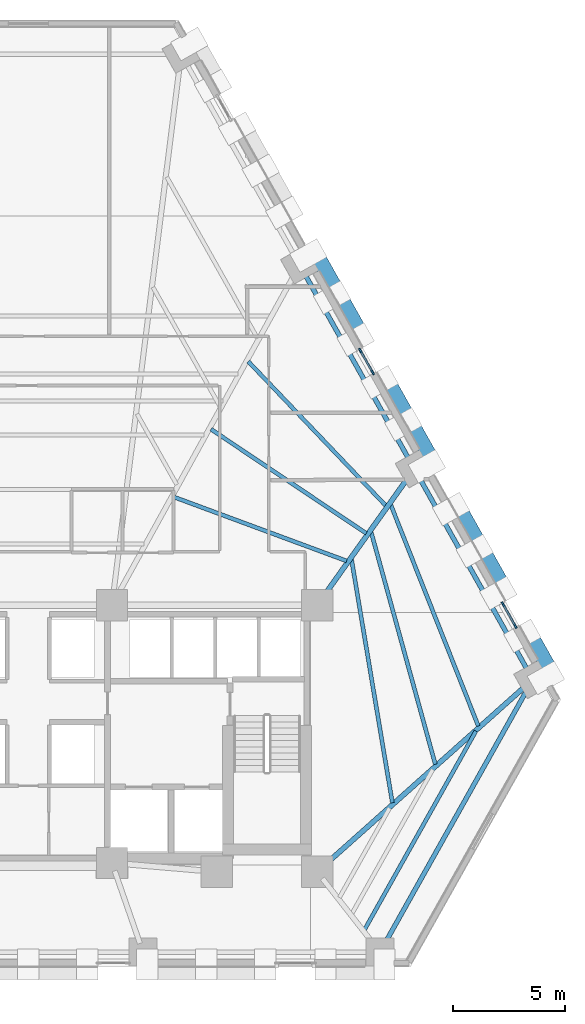
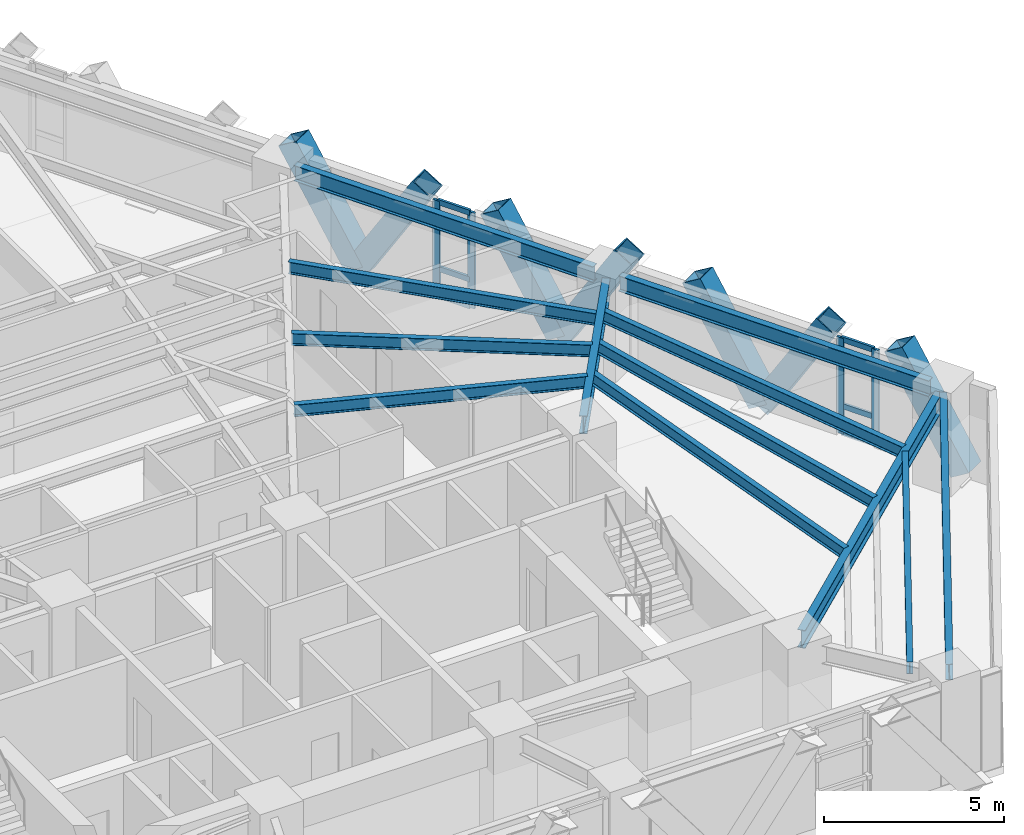
# One storey, part 4 of 13: 17 members, 12 beams, 2 elements without a shape of their own.
"""IFC4 building model written with IfcOpenShell, lengths in metres."""

from ifc_helpers import new_model, si_unit, direction, frame, origin, origin_2d, place, context, subcontext, project, spatial, rectangle, hollow_rectangle, i_section, extrude, material, material_profile, profile_set, type_object, element, aggregate, save


model = new_model("IFC4")

# Units and contexts
model_context = context("Model", 3, precision=1e-05, world=origin(), true_north=direction((0.0, 1.0)))
body_context = subcontext(model_context, "Body", "Model", "MODEL_VIEW")
ifc_project = project(units=[si_unit("LENGTHUNIT", "METRE"), si_unit("AREAUNIT", "SQUARE_METRE"), si_unit("VOLUMEUNIT", "CUBIC_METRE"), si_unit("PLANEANGLEUNIT", "RADIAN"), si_unit("MASSUNIT", "GRAM", prefix="KILO")], contexts=[model_context])

# Site, building, storey
site_placement = place(None, origin())
site = spatial("IfcSite", under=ifc_project, at=site_placement, CompositionType="ELEMENT")
building_placement = place(site_placement, origin())
building = spatial("IfcBuilding", under=site, at=building_placement, Name="Quenlor Broadcast Tower", CompositionType="ELEMENT")
storey_placement = place(building_placement, frame((0.0, 0.0, 48.60009765625)))
storey = spatial("IfcBuildingStorey", under=building, at=storey_placement, Name="L12", CompositionType="ELEMENT", Elevation=48.60009765625)

# Curtain wall, members
ifc_material_1 = material(Name="Architectural Terracotta and Low-E Glazing", Category="masonry")
curtain_wall_type = type_object("IfcCurtainWallType", Name="Unitised Terracotta Curtain Wall System Z1", PredefinedType="NOTDEFINED", material=ifc_material_1)
curtain_wall_1_placement = place(storey_placement, origin())
curtain_wall_1 = element("IfcCurtainWall", 1, at=curtain_wall_1_placement, inside=storey, type_object=curtain_wall_type, Name="L12 Curtain Wall CW1 (L12-NEC-G1)", PredefinedType="NOTDEFINED")
ifc_material_2 = material(Name="Aluminium 6063-T6", Category="aluminium")
ifc_material_profile_1 = material_profile(ifc_material_2, rectangle(XDim=0.080078125, YDim=0.219970703125, at=origin_2d()))
ifc_profile_set_1 = profile_set([ifc_material_profile_1], Name="Aluminium 6063-T6 MULL80x220")
member_type_1 = type_object("IfcMemberType", Name="CW1 Aluminium Mullion MULL_CW1", PredefinedType="MULLION", material=ifc_profile_set_1)
member_1_placement = place(storey_placement, frame((21.277099609375, -4.75244140625, 0.0), z_axis=(0.0, 0.0, 1.0), x_axis=(0.871566703483, 0.490276943553, 0.0)))
member_1 = element("IfcMember", 2, at=member_1_placement, type_object=member_type_1, Name="CW1 mullion 1", PredefinedType="MULLION", context=body_context, shape_type="SweptSolid", body=[
    extrude(rectangle(XDim=0.080078125, YDim=0.219970703125, at=origin_2d()), origin(), (0.0, 0.0, 1.0), 3.25),
])
member_2_placement = place(storey_placement, frame((21.830810546875, -5.73681640625, 0.0), z_axis=(0.0, 0.0, 1.0), x_axis=(0.871566703483, 0.490276943553, 0.0)))
member_2 = element("IfcMember", 3, at=member_2_placement, type_object=member_type_1, Name="CW1 mullion 2", PredefinedType="MULLION", context=body_context, shape_type="SweptSolid", body=[
    extrude(rectangle(XDim=0.080078125, YDim=0.219970703125, at=origin_2d()), origin(), (0.0, 0.0, 1.0), 3.25),
])

curtain_wall_2_placement = place(storey_placement, origin())
curtain_wall_2 = element("IfcCurtainWall", 4, at=curtain_wall_2_placement, inside=storey, type_object=curtain_wall_type, Name="L12 Curtain Wall CW1 (L12-NE-G1)", PredefinedType="NOTDEFINED")
member_3_placement = place(storey_placement, frame((14.8837890625, 6.61376953125, 0.0), z_axis=(0.0, 0.0, 1.0), x_axis=(0.871566703483, 0.490276943553, 0.0)))
member_3 = element("IfcMember", 5, at=member_3_placement, type_object=member_type_1, Name="CW1 mullion 1", PredefinedType="MULLION", context=body_context, shape_type="SweptSolid", body=[
    extrude(rectangle(XDim=0.080078125, YDim=0.219970703125, at=origin_2d()), origin(), (0.0, 0.0, 1.0), 3.25),
])
member_4_placement = place(storey_placement, frame((15.4375, 5.62939453125, 0.0), z_axis=(0.0, 0.0, 1.0), x_axis=(0.871566703483, 0.490276943553, 0.0)))
member_4 = element("IfcMember", 6, at=member_4_placement, type_object=member_type_1, Name="CW1 mullion 2", PredefinedType="MULLION", context=body_context, shape_type="SweptSolid", body=[
    extrude(rectangle(XDim=0.080078125, YDim=0.219970703125, at=origin_2d()), origin(), (0.0, 0.0, 1.0), 3.25),
])

# Member
ifc_material_3 = material(Name="Aluminium 6063-T6", Category="aluminium")
ifc_material_profile_2 = material_profile(ifc_material_3, rectangle(XDim=0.080078125, YDim=0.179931640625, at=origin_2d()))
ifc_profile_set_2 = profile_set([ifc_material_profile_2], Name="Aluminium 6063-T6 TRAN80x180")
member_type_2 = type_object("IfcMemberType", Name="CW1 Aluminium Transom TRAN_CW1", PredefinedType="USERDEFINED", material=ifc_profile_set_2)
member_5_placement = place(storey_placement, frame((21.296875, -4.787353515625, 0.039794921875), z_axis=(0.490239146026, -0.87158796441, 0.0), x_axis=(0.87158796441, 0.490239146026, 0.0)))
member_5 = element("IfcMember", 7, at=member_5_placement, type_object=member_type_2, Name="CW1 transom 1.1", ObjectType="TRANSOM", PredefinedType="USERDEFINED", context=body_context, shape_type="SweptSolid", body=[
    extrude(rectangle(XDim=0.080078125, YDim=0.179931640625, at=origin_2d()), origin(), (0.0, 0.0, 1.0), 1.04931640625),
])

member_6_placement = place(storey_placement, frame((21.296875, -4.787353515625, 0.949951171875), z_axis=(0.490239146026, -0.87158796441, 0.0), x_axis=(0.87158796441, 0.490239146026, 0.0)))
member_6 = element("IfcMember", 8, at=member_6_placement, type_object=member_type_2, Name="CW1 transom 1.2", ObjectType="TRANSOM", PredefinedType="USERDEFINED", context=body_context, shape_type="SweptSolid", body=[
    extrude(rectangle(XDim=0.080078125, YDim=0.179931640625, at=origin_2d()), origin(), (0.0, 0.0, 1.0), 1.04931640625),
])

member_7_placement = place(storey_placement, frame((21.296875, -4.787353515625, 3.2099609375), z_axis=(0.490239146026, -0.87158796441, 0.0), x_axis=(0.87158796441, 0.490239146026, 0.0)))
member_7 = element("IfcMember", 9, at=member_7_placement, type_object=member_type_2, Name="CW1 transom 1.3", ObjectType="TRANSOM", PredefinedType="USERDEFINED", context=body_context, shape_type="SweptSolid", body=[
    extrude(rectangle(XDim=0.080078125, YDim=0.179931640625, at=origin_2d()), origin(), (0.0, 0.0, 1.0), 1.04931640625),
])

aggregate(curtain_wall_1, [member_1, member_2, member_5, member_6, member_7])

member_8_placement = place(storey_placement, frame((14.9033203125, 6.578857421875, 0.039794921875), z_axis=(0.490239146026, -0.87158796441, 0.0), x_axis=(0.87158796441, 0.490239146026, 0.0)))
member_8 = element("IfcMember", 10, at=member_8_placement, type_object=member_type_2, Name="CW1 transom 1.1", ObjectType="TRANSOM", PredefinedType="USERDEFINED", context=body_context, shape_type="SweptSolid", body=[
    extrude(rectangle(XDim=0.080078125, YDim=0.179931640625, at=origin_2d()), origin(), (0.0, 0.0, 1.0), 1.04931640625),
])

member_9_placement = place(storey_placement, frame((14.9033203125, 6.578857421875, 0.949951171875), z_axis=(0.490239146026, -0.87158796441, 0.0), x_axis=(0.87158796441, 0.490239146026, 0.0)))
member_9 = element("IfcMember", 11, at=member_9_placement, type_object=member_type_2, Name="CW1 transom 1.2", ObjectType="TRANSOM", PredefinedType="USERDEFINED", context=body_context, shape_type="SweptSolid", body=[
    extrude(rectangle(XDim=0.080078125, YDim=0.179931640625, at=origin_2d()), origin(), (0.0, 0.0, 1.0), 1.04931640625),
])

member_10_placement = place(storey_placement, frame((14.9033203125, 6.578857421875, 3.2099609375), z_axis=(0.490239146026, -0.87158796441, 0.0), x_axis=(0.87158796441, 0.490239146026, 0.0)))
member_10 = element("IfcMember", 12, at=member_10_placement, type_object=member_type_2, Name="CW1 transom 1.3", ObjectType="TRANSOM", PredefinedType="USERDEFINED", context=body_context, shape_type="SweptSolid", body=[
    extrude(rectangle(XDim=0.080078125, YDim=0.179931640625, at=origin_2d()), origin(), (0.0, 0.0, 1.0), 1.04931640625),
])

aggregate(curtain_wall_2, [member_3, member_4, member_8, member_9, member_10])

# Members
ifc_material_4 = material(Name="Steel S355", Category="steel")
ifc_material_profile_3 = material_profile(ifc_material_4, hollow_rectangle(XDim=0.679931640625, YDim=0.679931640625, WallThickness=0.034912109375, at=origin_2d()))
ifc_profile_set_3 = profile_set([ifc_material_profile_3], Name="Steel S355 RHS680x680x35")
member_type_3 = type_object("IfcMemberType", Name="Perimeter Diagonal Lattice Brace Z1 Steel S355 RHS680x35", PredefinedType="BRACE", material=ifc_profile_set_3)
member_11_placement = place(storey_placement, frame((13.89990234375, 9.168212890625, -0.1201171875), z_axis=(-0.256375341489, 0.45579159737, 0.852364771705), x_axis=(-0.871581609758, -0.490250443683, 0.0)))
element("IfcMember", 13, at=member_11_placement, inside=storey, type_object=member_type_3, Name="L12 Perimeter Diamond Lattice NE-C2B", PredefinedType="BRACE", context=body_context, shape_type="SweptSolid", body=[
    extrude(hollow_rectangle(XDim=0.679931640625, YDim=0.679931640625, WallThickness=0.034912109375, at=origin_2d()), origin(), (0.0, 0.0, 1.0), 4.106201171875),
])
member_12_placement = place(storey_placement, frame((13.912841796875, 9.1455078125, -0.1201171875), z_axis=(0.256368393635, -0.455838699906, 0.852341672343), x_axis=(0.871608931644, 0.490201866865, 0.0)))
element("IfcMember", 14, at=member_12_placement, inside=storey, type_object=member_type_3, Name="L12 Perimeter Diamond Lattice NE-C3S", PredefinedType="BRACE", context=body_context, shape_type="SweptSolid", body=[
    extrude(hollow_rectangle(XDim=0.679931640625, YDim=0.679931640625, WallThickness=0.034912109375, at=origin_2d()), origin(), (0.0, 0.0, 1.0), 4.1064453125),
])
for number, where, z_axis, x_axis, name in (
    (15, (17.0966796875, 3.485107421875, -0.1201171875), (-0.256375341489, 0.45579159737, 0.852364771705), (-0.871581609758, -0.490250443683, 0.0), "L12 Perimeter Diamond Lattice NE-C3B"),
    (16, (17.109619140625, 3.46240234375, -0.1201171875), (0.256375341489, -0.45579159737, 0.852364771705), (0.871581609758, 0.490250443683, 0.0), "L12 Perimeter Diamond Lattice NE-C4S"),
    (17, (20.29345703125, -2.197998046875, -0.1201171875), (-0.256375341489, 0.45579159737, 0.852364771705), (-0.871581609758, -0.490250443683, 0.0), "L12 Perimeter Diamond Lattice NE-C4B"),
    (18, (20.306396484375, -2.220947265625, -0.1201171875), (0.256375341489, -0.45579159737, 0.852364771705), (0.871581609758, 0.490250443683, 0.0), "L12 Perimeter Diamond Lattice NE-C5S"),
):
    element("IfcMember", number, at=place(storey_placement, frame(where, z_axis=z_axis, x_axis=x_axis)), inside=storey, type_object=member_type_3, Name=name, PredefinedType="BRACE", context=body_context, shape_type="SweptSolid", body=[
        extrude(hollow_rectangle(XDim=0.679931640625, YDim=0.679931640625, WallThickness=0.034912109375, at=origin_2d()), origin(), (0.0, 0.0, 1.0), 4.106201171875),
    ])
member_13_placement = place(storey_placement, frame((23.490234375, -7.88134765625, -0.1201171875), z_axis=(-0.256368393635, 0.455838699906, 0.852341672343), x_axis=(-0.871608931644, -0.490201866865, 0.0)))
element("IfcMember", 19, at=member_13_placement, inside=storey, type_object=member_type_3, Name="L12 Perimeter Diamond Lattice NE-C5B", PredefinedType="BRACE", context=body_context, shape_type="SweptSolid", body=[
    extrude(hollow_rectangle(XDim=0.679931640625, YDim=0.679931640625, WallThickness=0.034912109375, at=origin_2d()), origin(), (0.0, 0.0, 1.0), 4.1064453125),
])

# Beams
ifc_material_5 = material(Name="Steel S355", Category="steel")
ifc_material_profile_4 = material_profile(ifc_material_5, i_section(OverallWidth=0.208984375, OverallDepth=0.532958984375, WebThickness=0.01025390625, FlangeThickness=0.015625, FilletRadius=0.013916015625, at=origin_2d()))
ifc_profile_set_4 = profile_set([ifc_material_profile_4], Name="Steel S355 530UB92.4")
beam_type_1 = type_object("IfcBeamType", Name="Perimeter Spandrel Beam Z1 Steel S355 530UB92.4", PredefinedType="SPANDREL", material=ifc_profile_set_4)
beam_1_placement = place(storey_placement, frame((15.965576171875, -19.992431640625, 2.9833984375), z_axis=(0.489090917871, 0.87223280955, 0.0), x_axis=(-0.87223280955, 0.489090917871, 0.0)))
element("IfcBeam", 20, at=beam_1_placement, inside=storey, type_object=beam_type_1, Name="L12 Spandrel Beam S4-NE1", PredefinedType="SPANDREL", context=body_context, shape_type="SweptSolid", body=[
    extrude(i_section(OverallWidth=0.208984375, OverallDepth=0.532958984375, WebThickness=0.01025390625, FlangeThickness=0.015625, FilletRadius=0.013916015625, at=origin_2d()), origin(), (0.0, 0.0, 1.0), 13.187744140625),
])
beam_2_placement = place(storey_placement, frame((22.4150390625, -7.77490234375, 2.9833984375), z_axis=(-0.490257767622, 0.871577490121, 0.0), x_axis=(-0.871577490121, -0.490257767622, 0.0)))
element("IfcBeam", 21, at=beam_2_placement, inside=storey, type_object=beam_type_1, Name="L12 Spandrel Beam NE1-NE2", PredefinedType="SPANDREL", context=body_context, shape_type="SweptSolid", body=[
    extrude(i_section(OverallWidth=0.208984375, OverallDepth=0.532958984375, WebThickness=0.01025390625, FlangeThickness=0.015625, FilletRadius=0.013916015625, at=origin_2d()), origin(), (0.0, 0.0, 1.0), 10.015380859375),
])
beam_3_placement = place(storey_placement, frame((17.102783203125, 1.6689453125, 2.9833984375), z_axis=(-0.490257642051, 0.871577560755, 0.0), x_axis=(-0.871577560755, -0.490257642051, 0.0)))
element("IfcBeam", 22, at=beam_3_placement, inside=storey, type_object=beam_type_1, Name="L12 Spandrel Beam NE2-NE3", PredefinedType="SPANDREL", context=body_context, shape_type="SweptSolid", body=[
    extrude(i_section(OverallWidth=0.208984375, OverallDepth=0.532958984375, WebThickness=0.01025390625, FlangeThickness=0.015625, FilletRadius=0.013916015625, at=origin_2d()), origin(), (0.0, 0.0, 1.0), 9.665771484375),
])
ifc_material_6 = material(Name="Steel S355", Category="steel")
ifc_material_profile_5 = material_profile(ifc_material_6, i_section(OverallWidth=0.177978515625, OverallDepth=0.406494140625, WebThickness=0.0078125, FlangeThickness=0.0126953125, FilletRadius=0.011474609375, at=origin_2d()))
ifc_profile_set_5 = profile_set([ifc_material_profile_5], Name="Steel S355 410UB59.7")
beam_type_2 = type_object("IfcBeamType", Name="Tower Composite Joist Z1 Steel S355 410UB59.7", PredefinedType="JOIST", material=ifc_profile_set_5)
beam_4_placement = place(storey_placement, frame((14.268310546875, -2.81640625, 3.046630859375), z_axis=(-0.937824633945, 0.347109429383, 0.0), x_axis=(-0.347109429383, -0.937824633945, 0.0)))
element("IfcBeam", 23, at=beam_4_placement, inside=storey, type_object=beam_type_2, Name="L12 Secondary Composite Joist 10", PredefinedType="JOIST", context=body_context, shape_type="SweptSolid", body=[
    extrude(i_section(OverallWidth=0.177978515625, OverallDepth=0.406494140625, WebThickness=0.0078125, FlangeThickness=0.0126953125, FilletRadius=0.011474609375, at=origin_2d()), origin(), (0.0, 0.0, 1.0), 8.26513671875),
])
beam_5_placement = place(storey_placement, frame((15.147705078125, -1.577392578125, 3.046630859375), z_axis=(-0.830625844363, 0.556830949819, 0.0), x_axis=(-0.556830949819, -0.830625844363, 0.0)))
element("IfcBeam", 24, at=beam_5_placement, inside=storey, type_object=beam_type_2, Name="L12 Secondary Composite Joist 11", PredefinedType="JOIST", context=body_context, shape_type="SweptSolid", body=[
    extrude(i_section(OverallWidth=0.177978515625, OverallDepth=0.406494140625, WebThickness=0.0078125, FlangeThickness=0.0126953125, FilletRadius=0.011474609375, at=origin_2d()), origin(), (0.0, 0.0, 1.0), 8.374755859375),
])
beam_6_placement = place(storey_placement, frame((16.029541015625, -0.341796875, 3.046630859375), z_axis=(-0.690241086162, 0.723579465556, 0.0), x_axis=(-0.723579465556, -0.690241086162, 0.0)))
element("IfcBeam", 25, at=beam_6_placement, inside=storey, type_object=beam_type_2, Name="L12 Secondary Composite Joist 12", PredefinedType="JOIST", context=body_context, shape_type="SweptSolid", body=[
    extrude(i_section(OverallWidth=0.177978515625, OverallDepth=0.406494140625, WebThickness=0.0078125, FlangeThickness=0.0126953125, FilletRadius=0.011474609375, at=origin_2d()), origin(), (0.0, 0.0, 1.0), 8.93408203125),
])
beam_7_placement = place(storey_placement, frame((16.31982421875, -13.65478515625, 3.046630859375), z_axis=(-0.16559360599, 0.986194077074, 0.0), x_axis=(-0.986194077074, -0.16559360599, 0.0)))
element("IfcBeam", 26, at=beam_7_placement, inside=storey, type_object=beam_type_2, Name="L12 Secondary Composite Joist 16", PredefinedType="JOIST", context=body_context, shape_type="SweptSolid", body=[
    extrude(i_section(OverallWidth=0.177978515625, OverallDepth=0.406494140625, WebThickness=0.0078125, FlangeThickness=0.0126953125, FilletRadius=0.011474609375, at=origin_2d()), origin(), (0.0, 0.0, 1.0), 11.06787109375),
])
beam_8_placement = place(storey_placement, frame((18.2451171875, -11.93310546875, 3.046630859375), z_axis=(-0.266390054368, 0.963865311615, 0.0), x_axis=(-0.963865311615, -0.266390054368, 0.0)))
element("IfcBeam", 27, at=beam_8_placement, inside=storey, type_object=beam_type_2, Name="L12 Secondary Composite Joist 17", PredefinedType="JOIST", context=body_context, shape_type="SweptSolid", body=[
    extrude(i_section(OverallWidth=0.177978515625, OverallDepth=0.406494140625, WebThickness=0.0078125, FlangeThickness=0.0126953125, FilletRadius=0.011474609375, at=origin_2d()), origin(), (0.0, 0.0, 1.0), 10.80810546875),
])
beam_9_placement = place(storey_placement, frame((20.170166015625, -10.212158203125, 3.046630859375), z_axis=(-0.367884833597, 0.929871361646, 0.0), x_axis=(-0.929871361646, -0.367884833597, 0.0)))
element("IfcBeam", 28, at=beam_9_placement, inside=storey, type_object=beam_type_2, Name="L12 Secondary Composite Joist 18", PredefinedType="JOIST", context=body_context, shape_type="SweptSolid", body=[
    extrude(i_section(OverallWidth=0.177978515625, OverallDepth=0.406494140625, WebThickness=0.0078125, FlangeThickness=0.0126953125, FilletRadius=0.011474609375, at=origin_2d()), origin(), (0.0, 0.0, 1.0), 10.669921875),
])
beam_10_placement = place(storey_placement, frame((15.072265625, -19.34423828125, 3.046630859375), z_axis=(0.489081877778, 0.872237878579, 0.0), x_axis=(-0.872237878579, 0.489081877778, 0.0)))
element("IfcBeam", 29, at=beam_10_placement, inside=storey, type_object=beam_type_2, Name="L12 Secondary Composite Joist 24", PredefinedType="JOIST", context=body_context, shape_type="SweptSolid", body=[
    extrude(i_section(OverallWidth=0.177978515625, OverallDepth=0.406494140625, WebThickness=0.0078125, FlangeThickness=0.0126953125, FilletRadius=0.011474609375, at=origin_2d()), origin(), (0.0, 0.0, 1.0), 10.205810546875),
])
ifc_material_7 = material(Name="Steel S355", Category="steel")
ifc_material_profile_6 = material_profile(ifc_material_7, i_section(OverallWidth=0.22900390625, OverallDepth=0.611572265625, WebThickness=0.011962890625, FlangeThickness=0.01953125, FilletRadius=0.013916015625, at=origin_2d()))
ifc_profile_set_6 = profile_set([ifc_material_profile_6], Name="Steel S355 610UB125")
beam_type_3 = type_object("IfcBeamType", Name="Tower Primary Floor Beam Z1 Steel S355 610UB125", PredefinedType="BEAM", material=ifc_profile_set_6)
beam_11_placement = place(storey_placement, frame((22.31005859375, -8.40478515625, 2.944091796875), z_axis=(-0.746413754585, -0.665482161268, 0.0), x_axis=(0.665482161268, -0.746413754585, 0.0)))
element("IfcBeam", 30, at=beam_11_placement, inside=storey, type_object=beam_type_3, Name="L12 Primary Radial Beam NE1", PredefinedType="BEAM", context=body_context, shape_type="SweptSolid", body=[
    extrude(i_section(OverallWidth=0.22900390625, OverallDepth=0.611572265625, WebThickness=0.011962890625, FlangeThickness=0.01953125, FilletRadius=0.013916015625, at=origin_2d()), origin(), (0.0, 0.0, 1.0), 12.159912109375),
])
beam_12_placement = place(storey_placement, frame((17.06591796875, 0.977783203125, 2.944091796875), z_axis=(-0.580212680853, -0.814465005373, 0.0), x_axis=(0.814465005373, -0.580212680853, 0.0)))
element("IfcBeam", 31, at=beam_12_placement, inside=storey, type_object=beam_type_3, Name="L12 Primary Radial Beam NE2", PredefinedType="BEAM", context=body_context, shape_type="SweptSolid", body=[
    extrude(i_section(OverallWidth=0.22900390625, OverallDepth=0.611572265625, WebThickness=0.011962890625, FlangeThickness=0.01953125, FilletRadius=0.013916015625, at=origin_2d()), origin(), (0.0, 0.0, 1.0), 6.7138671875),
])

save(model, "model.ifc")
